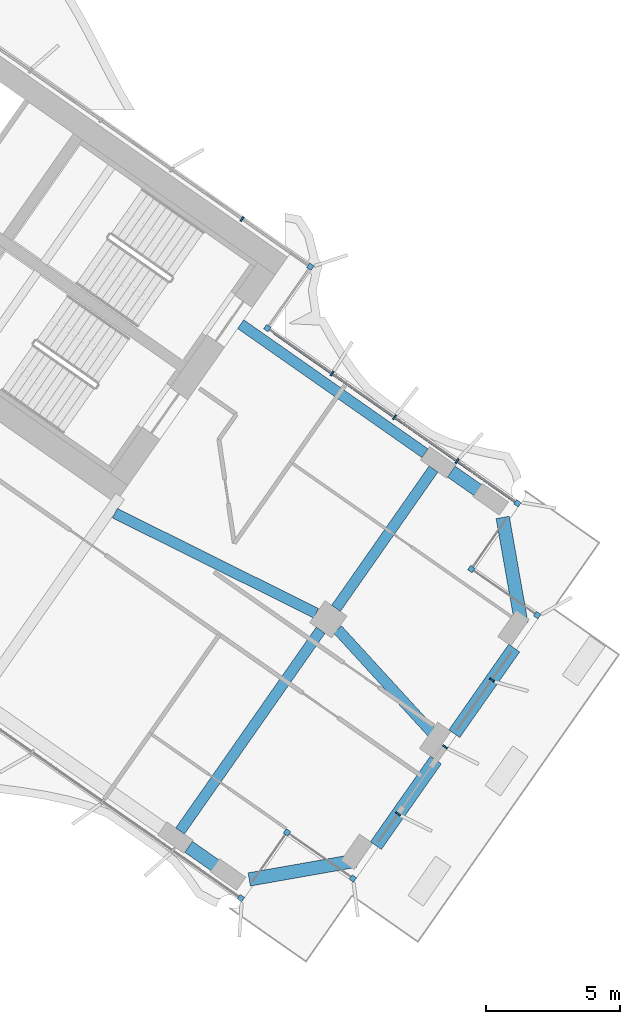
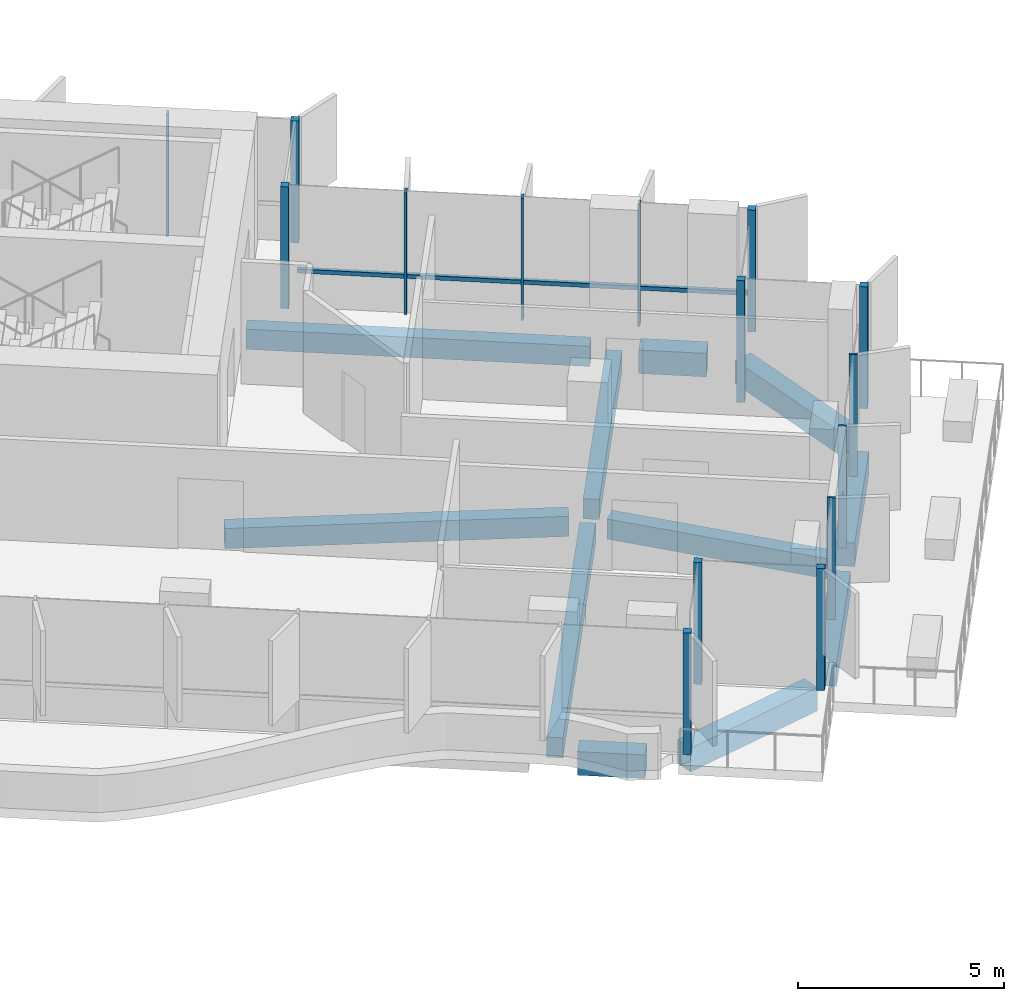
# One storey, part 9 of 22: 16 members, 11 beams, 4 elements without a shape of their own.
"""IFC4 building model written with IfcOpenShell, lengths in metres."""

import ifcopenshell
import ifcopenshell.guid

model = None  # the IFC model being written
_history = None  # IfcOwnerHistory: only IFC2X3 demands one
_inside = {}  # id of a spatial element -> (the spatial element, [elements in it])
_under = {}  # id of a project, library or spatial element -> (it, [spatial elements below it])
_declared = {}  # id of a project -> (the project, [libraries it declares])
_typed = {}  # id of a type object -> (the type object, [elements of that type])
_made_of = {}  # id of a material, layer set ... -> (it, [elements and type objects made of it])


def new_model(schema):
    """Start an empty IFC model of exactly this schema.

    Asked for "IFC4X3", IfcOpenShell would pick the latest addendum, in which some entities
    have other attributes; the version numbers below select the first issue.
    IFC2X3 requires an IfcOwnerHistory on every rooted entity: one is made here for all.
    """
    global model, _history
    if schema == "IFC4X3":
        model = ifcopenshell.file(schema_version=(4, 3, 0, 0))
    else:
        model = ifcopenshell.file(schema=schema)
    _inside.clear()
    _under.clear()
    _declared.clear()
    _typed.clear()
    _made_of.clear()
    _history = None
    if model.schema == "IFC2X3":
        org = make("IfcOrganization", Name="unknown")
        user = make(
            "IfcPersonAndOrganization",
            ThePerson=make("IfcPerson", FamilyName="unknown"),
            TheOrganization=org,
        )
        app = make(
            "IfcApplication",
            ApplicationDeveloper=org,
            Version="unknown",
            ApplicationFullName="unknown",
            ApplicationIdentifier="unknown",
        )
        _history = make(
            "IfcOwnerHistory",
            OwningUser=user,
            OwningApplication=app,
            ChangeAction="ADDED",
            CreationDate=0,
        )
    return model


def make(cls, **values):
    """One entity of the class cls with the attributes given. An attribute that is None is left unset."""
    return model.create_entity(
        cls, **{name: value for name, value in values.items() if value is not None}
    )


def rooted(cls, **values):
    """An entity with a GlobalId (a new one), such as an element, a storey or a relation."""
    return make(cls, GlobalId=ifcopenshell.guid.new(), OwnerHistory=_history, **values)


def si_unit(unit_type, name, prefix=None):
    """IfcSIUnit, for example si_unit("LENGTHUNIT", "METRE", prefix="MILLI")."""
    return make("IfcSIUnit", UnitType=unit_type, Prefix=prefix, Name=name)


def assignment(units):
    """IfcUnitAssignment: the units of a project."""
    return None if units is None else make("IfcUnitAssignment", Units=units)


def point(xyz):
    """IfcCartesianPoint."""
    return None if xyz is None else make("IfcCartesianPoint", Coordinates=xyz)


def direction(xyz):
    """IfcDirection."""
    return None if xyz is None else make("IfcDirection", DirectionRatios=xyz)


def frame(location, z_axis=None, x_axis=None):
    """IfcAxis2Placement3D, a coordinate frame: its origin and axes. An axis left out is left unset."""
    return make(
        "IfcAxis2Placement3D",
        Location=point(location),
        Axis=direction(z_axis),
        RefDirection=direction(x_axis),
    )


def frame_2d(location, x_axis=None):
    """IfcAxis2Placement2D, a coordinate frame in the plane: its origin and x axis."""
    return make(
        "IfcAxis2Placement2D", Location=point(location), RefDirection=direction(x_axis)
    )


def origin():
    """The frame at (0, 0, 0) with its axes left unset."""
    return frame((0.0, 0.0, 0.0))


def origin_2d():
    """The frame at (0, 0) in the plane with its x axis left unset."""
    return frame_2d((0.0, 0.0))


def place(relative_to, where):
    """IfcLocalPlacement: puts the frame where relative to a parent placement (None: the world)."""
    return make(
        "IfcLocalPlacement", PlacementRelTo=relative_to, RelativePlacement=where
    )


def context(
    kind, dimensions, precision=None, world=None, true_north=None, identifier=None
):
    """IfcGeometricRepresentationContext, for example the 3D "Model" context."""
    return make(
        "IfcGeometricRepresentationContext",
        ContextIdentifier=identifier,
        ContextType=kind,
        CoordinateSpaceDimension=dimensions,
        Precision=precision,
        WorldCoordinateSystem=world,
        TrueNorth=true_north,
    )


def subcontext(parent, identifier, kind, view, scale=None):
    """IfcGeometricRepresentationSubContext, for example "Body" below "Model"."""
    return make(
        "IfcGeometricRepresentationSubContext",
        ContextIdentifier=identifier,
        ContextType=kind,
        ParentContext=parent,
        TargetScale=scale,
        TargetView=view,
    )


def project(units=None, contexts=None):
    """IfcProject with its units and contexts."""
    return rooted(
        "IfcProject",
        Name="project",
        RepresentationContexts=contexts,
        UnitsInContext=assignment(units),
    )


def spatial(cls, under=None, at=None, **own):
    """A site, building, storey or space (cls), placed at a placement, below another one or the project."""
    s = rooted(cls, ObjectPlacement=at, **own)
    if under is not None:
        _under.setdefault(under.id(), (under, []))[1].append(s)
    return s


def profile(cls, at=None, kind="AREA", **sizes):
    """A parametric profile (cls). Its sizes go by their IFC names, for example OverallWidth=200.0."""
    return make(cls, ProfileType=kind, Position=at, **sizes)


def rectangle(**sizes):
    """IfcRectangleProfileDef."""
    return profile("IfcRectangleProfileDef", **sizes)


def extrude(swept, where, along, depth):
    """IfcExtrudedAreaSolid: the profile swept, set in the frame where, extruded along a direction by depth."""
    return make(
        "IfcExtrudedAreaSolid",
        SweptArea=swept,
        Position=where,
        ExtrudedDirection=direction(along),
        Depth=depth,
    )


def shape(context_of_items, identifier, shape_type, items):
    """IfcShapeRepresentation: the items that make up one representation, for example the "Body"."""
    return make(
        "IfcShapeRepresentation",
        ContextOfItems=context_of_items,
        RepresentationIdentifier=identifier,
        RepresentationType=shape_type,
        Items=items,
    )


def material(Name=None, Category=None):
    """IfcMaterial."""
    return make("IfcMaterial", Name=Name, Category=Category)


def material_profile(
    of_material, cross_section, Name=None, Category=None, Priority=None
):
    """IfcMaterialProfile: a cross section and its material."""
    return make(
        "IfcMaterialProfile",
        Name=Name,
        Material=of_material,
        Profile=cross_section,
        Priority=Priority,
        Category=Category,
    )


def profile_set(profiles, Name=None, composite=None):
    """IfcMaterialProfileSet."""
    return make(
        "IfcMaterialProfileSet",
        Name=Name,
        MaterialProfiles=profiles,
        CompositeProfile=composite,
    )


def made_of(thing, what):
    """Note that an element or type object is made of a material, layer set ...; save() writes the relation."""
    if what is not None:
        _made_of.setdefault(what.id(), (what, []))[1].append(thing)
    return thing


def type_object(cls, material=None, **own):
    """A type object (cls), such as IfcWallType, which elements share."""
    return made_of(rooted(cls, **own), material)


def element(
    cls,
    number,
    at=None,
    inside=None,
    cuts=None,
    type_object=None,
    material=None,
    context=None,
    identifier="Body",
    shape_type=None,
    held_by="IfcProductDefinitionShape",
    body=None,
    shapes=None,
    **own,
):
    """One element of the class cls, such as IfcWall. Its Tag is "e" and its number.

    at: its placement. inside: the storey or other place that contains it. cuts: it is an
    opening in that element (IfcRelVoidsElement). A single representation is given by context,
    identifier, shape_type and body (its items); several are given by shapes. held_by: the class
    of the entity that holds the representations. save() writes the other relations.
    """
    e = rooted(cls, Tag="e%d" % number, ObjectPlacement=at, **own)
    if body is not None:
        shapes = [shape(context, identifier, shape_type, body)]
    if shapes is not None:
        e.Representation = make(held_by, Representations=shapes)
    if inside is not None:
        _inside.setdefault(inside.id(), (inside, []))[1].append(e)
    if cuts is not None:
        rooted(
            "IfcRelVoidsElement", RelatingBuildingElement=cuts, RelatedOpeningElement=e
        )
    if type_object is not None:
        _typed.setdefault(type_object.id(), (type_object, []))[1].append(e)
    return made_of(e, material)


def aggregate(whole, parts):
    """IfcRelAggregates: a whole, such as a stair, and the parts it consists of."""
    return rooted("IfcRelAggregates", RelatingObject=whole, RelatedObjects=parts)


def save(model, path):
    """Write the relations noted so far, then the file.

    IfcRelAggregates (storeys below a building ...), IfcRelContainedInSpatialStructure (elements
    in a storey), IfcRelDefinesByType, IfcRelAssociatesMaterial and IfcRelDeclares: one each for
    every whole, place, type object, material and project.
    """
    for whole, parts in _under.values():
        aggregate(whole, parts)
    for where, things in _inside.values():
        rooted(
            "IfcRelContainedInSpatialStructure",
            RelatedElements=things,
            RelatingStructure=where,
        )
    for kind, things in _typed.values():
        rooted("IfcRelDefinesByType", RelatedObjects=things, RelatingType=kind)
    for what, things in _made_of.values():
        rooted("IfcRelAssociatesMaterial", RelatedObjects=things, RelatingMaterial=what)
    for by, libraries in _declared.values():
        rooted("IfcRelDeclares", RelatingContext=by, RelatedDefinitions=libraries)
    model.write(path)


model = new_model("IFC4")

# Units and contexts
model_context = context("Model", 3, precision=1e-05, world=origin(), true_north=direction((0.0, 1.0)))
body_context = subcontext(model_context, "Body", "Model", "MODEL_VIEW")
ifc_project = project(units=[si_unit("LENGTHUNIT", "METRE"), si_unit("AREAUNIT", "SQUARE_METRE"), si_unit("VOLUMEUNIT", "CUBIC_METRE"), si_unit("PLANEANGLEUNIT", "RADIAN"), si_unit("MASSUNIT", "GRAM", prefix="KILO")], contexts=[model_context])

# Site, building, storey
site_placement = place(None, origin())
site = spatial("IfcSite", under=ifc_project, at=site_placement, CompositionType="ELEMENT")
building_placement = place(site_placement, origin())
building = spatial("IfcBuilding", under=site, at=building_placement, Name="Tel Ilan Convention Tower", CompositionType="ELEMENT")
storey_placement = place(building_placement, frame((0.0, 0.0, 143.699951171875)))
storey = spatial("IfcBuildingStorey", under=building, at=storey_placement, Name="L32", CompositionType="ELEMENT", Elevation=143.699951171875)

# Beams
ifc_material_1 = material(Name="Concrete C40/50", Category="concrete")
ifc_material_profile_1 = material_profile(ifc_material_1, rectangle(XDim=0.39990234375, YDim=0.60009765625, at=origin_2d()), Name="RC 400x600")
ifc_profile_set_1 = profile_set([ifc_material_profile_1], Name="Concrete C40/50")
beam_type_1 = type_object("IfcBeamType", Name="Beam RC 400x600 Concrete C40/50", PredefinedType="BEAM", material=ifc_profile_set_1)
beam_1_placement = place(storey_placement, frame((33.09912109375, -14.44775390625, -0.579833984375), z_axis=(-0.819147254605, 0.573583276668, 0.0), x_axis=(-0.573583276668, -0.819147254605, 0.0)))
element("IfcBeam", 1, at=beam_1_placement, inside=storey, type_object=beam_type_1, Name="L32 beam E-E-B4-core", PredefinedType="BEAM", context=body_context, shape_type="SweptSolid", body=[
    extrude(rectangle(XDim=0.39990234375, YDim=0.60009765625, at=origin_2d()), origin(), (0.0, 0.0, 1.0), 8.400146484375),
])
beam_2_placement = place(storey_placement, frame((21.52099609375, -16.686279296875, -0.579833984375), z_axis=(0.895402365524, -0.445257907076, 0.0), x_axis=(0.445257907076, 0.895402365524, 0.0)))
element("IfcBeam", 2, at=beam_2_placement, inside=storey, type_object=beam_type_1, Name="L32 beam E-core-E-M4", PredefinedType="BEAM", context=body_context, shape_type="SweptSolid", body=[
    extrude(rectangle(XDim=0.39990234375, YDim=0.60009765625, at=origin_2d()), origin(), (0.0, 0.0, 1.0), 8.3935546875),
])
beam_3_placement = place(storey_placement, frame((29.835205078125, -21.026611328125, -0.579833984375), z_axis=(0.675300861805, -0.737542368983, 0.0), x_axis=(0.737542368983, 0.675300861805, 0.0)))
element("IfcBeam", 3, at=beam_3_placement, inside=storey, type_object=beam_type_1, Name="L32 beam E-E-M4-end", PredefinedType="BEAM", context=body_context, shape_type="SweptSolid", body=[
    extrude(rectangle(XDim=0.39990234375, YDim=0.60009765625, at=origin_2d()), origin(), (0.0, 0.0, 1.0), 5.636474609375),
])
beam_4_placement = place(storey_placement, frame((29.20263671875, -21.058349609375, -0.579833984375), z_axis=(-0.573557249804, -0.819165478519, 0.0), x_axis=(0.819165478519, -0.573557249804, 0.0)))
element("IfcBeam", 4, at=beam_4_placement, inside=storey, type_object=beam_type_1, Name="L32 beam E-E-M4-E-F4", PredefinedType="BEAM", context=body_context, shape_type="SweptSolid", body=[
    extrude(rectangle(XDim=0.39990234375, YDim=0.60009765625, at=origin_2d()), origin(), (0.0, 0.0, 1.0), 9.14990234375),
])
beam_5_placement = place(storey_placement, frame((29.7763671875, -20.2392578125, -0.579833984375), z_axis=(0.573560394383, 0.819163276762, 0.0), x_axis=(-0.819163276762, 0.573560394383, 0.0)))
element("IfcBeam", 5, at=beam_5_placement, inside=storey, type_object=beam_type_1, Name="L32 beam E-E-M4-E-B4", PredefinedType="BEAM", context=body_context, shape_type="SweptSolid", body=[
    extrude(rectangle(XDim=0.39990234375, YDim=0.60009765625, at=origin_2d()), origin(), (0.0, 0.0, 1.0), 6.349853515625),
])
ifc_material_2 = material(Name="Concrete C40/50", Category="concrete")
ifc_material_profile_2 = material_profile(ifc_material_2, rectangle(XDim=0.5, YDim=0.699951171875, at=origin_2d()), Name="RC 500x700")
ifc_profile_set_2 = profile_set([ifc_material_profile_2], Name="Concrete C40/50")
beam_type_2 = type_object("IfcBeamType", Name="Beam RC 500x700 Concrete C40/50", PredefinedType="BEAM", material=ifc_profile_set_2)
beam_6_placement = place(storey_placement, frame((24.27392578125, -29.1435546875, -0.6298828125), z_axis=(0.819148614275, -0.573581334887, 0.0), x_axis=(0.573581334887, 0.819148614275, 0.0)))
element("IfcBeam", 6, at=beam_6_placement, inside=storey, type_object=beam_type_2, Name="L32 beam E-E-F4-E-FC", PredefinedType="BEAM", context=body_context, shape_type="SweptSolid", body=[
    extrude(rectangle(XDim=0.5, YDim=0.699951171875, at=origin_2d()), origin(), (0.0, 0.0, 1.0), 1.65234375),
])
beam_7_placement = place(storey_placement, frame((26.53662109375, -30.36181640625, -0.6298828125), z_axis=(0.984806721117, 0.173654029734, 0.0), x_axis=(-0.173654029734, 0.984806721117, 0.0)))
element("IfcBeam", 7, at=beam_7_placement, inside=storey, type_object=beam_type_2, Name="L32 beam E-E-FC-E-E1", PredefinedType="BEAM", context=body_context, shape_type="SweptSolid", body=[
    extrude(rectangle(XDim=0.5, YDim=0.699951171875, at=origin_2d()), origin(), (0.0, 0.0, 1.0), 4.03076171875),
])
for number, where, z_axis, x_axis, name in (
    (8, (31.267822265625, -29.0966796875, -0.6298828125), (0.573579971149, 0.819149569186, 0.0), (-0.819149569186, 0.573579971149, 0.0), "L32 beam E-E-E1-E-E2"),
    (9, (34.193115234375, -24.9189453125, -0.6298828125), (0.573579971149, 0.819149569186, 0.0), (-0.819149569186, 0.573579971149, 0.0), "L32 beam E-E-E2-E-E3"),
):
    element("IfcBeam", number, at=place(storey_placement, frame(where, z_axis=z_axis, x_axis=x_axis)), inside=storey, type_object=beam_type_2, Name=name, PredefinedType="BEAM", context=body_context, shape_type="SweptSolid", body=[
        extrude(rectangle(XDim=0.5, YDim=0.699951171875, at=origin_2d()), origin(), (0.0, 0.0, 1.0), 3.900146484375),
    ])
beam_8_placement = place(storey_placement, frame((36.70068359375, -20.81494140625, -0.6298828125), z_axis=(-0.173664388751, 0.984804894423, 0.0), x_axis=(-0.984804894423, -0.173664388751, 0.0)))
element("IfcBeam", 10, at=beam_8_placement, inside=storey, type_object=beam_type_2, Name="L32 beam E-E-E3-E-BC", PredefinedType="BEAM", context=body_context, shape_type="SweptSolid", body=[
    extrude(rectangle(XDim=0.5, YDim=0.699951171875, at=origin_2d()), origin(), (0.0, 0.0, 1.0), 4.030517578125),
])
beam_9_placement = place(storey_placement, frame((35.435546875, -16.083740234375, -0.6298828125), z_axis=(-0.819148614275, 0.573581334887, 0.0), x_axis=(-0.573581334887, -0.819148614275, 0.0)))
element("IfcBeam", 11, at=beam_9_placement, inside=storey, type_object=beam_type_2, Name="L32 beam E-E-BC-E-B4", PredefinedType="BEAM", context=body_context, shape_type="SweptSolid", body=[
    extrude(rectangle(XDim=0.5, YDim=0.699951171875, at=origin_2d()), origin(), (0.0, 0.0, 1.0), 1.65234375),
])

# Curtain wall, members
ifc_material_3 = material(Name="Aluminium, bronze anodised", Category="aluminium")
curtain_wall_type_1 = type_object("IfcCurtainWallType", Name="CW4 STICK CURTAIN WALL, OFFICE TINTED GLASS", PredefinedType="NOTDEFINED", material=ifc_material_3)
curtain_wall_1_placement = place(storey_placement, origin())
curtain_wall_1 = element("IfcCurtainWall", 12, at=curtain_wall_1_placement, inside=storey, type_object=curtain_wall_type_1, Name="Curtain wall CW4-26.02", PredefinedType="NOTDEFINED")
ifc_material_4 = material(Name="Aluminium, bronze anodised", Category="aluminium")
ifc_material_profile_3 = material_profile(ifc_material_4, rectangle(XDim=0.199951171875, YDim=0.199951171875, at=origin_2d()), Name="CW CORNER MULLION 200x200")
ifc_profile_set_3 = profile_set([ifc_material_profile_3], Name="Aluminium, bronze anodised")
member_type_1 = type_object("IfcMemberType", Name="CW CORNER MULLION 200x200", PredefinedType="MULLION", material=ifc_profile_set_3)
member_1_placement = place(storey_placement, frame((37.28857421875, -20.494140625, 0.0), z_axis=(0.0, 0.0, 1.0), x_axis=(0.573576436351, 0.819152044289, 0.0)))
member_1 = element("IfcMember", 13, at=member_1_placement, type_object=member_type_1, Name="Corner mullion", PredefinedType="MULLION", context=body_context, shape_type="SweptSolid", body=[
    extrude(rectangle(XDim=0.199951171875, YDim=0.199951171875, at=origin_2d()), origin(), (0.0, 0.0, 1.0), 3.6201171875),
])
member_2_placement = place(storey_placement, frame((34.8310546875, -18.7734375, 0.0), z_axis=(0.0, 0.0, 1.0), x_axis=(-0.819152044289, 0.573576436351, 0.0)))
member_2 = element("IfcMember", 14, at=member_2_placement, type_object=member_type_1, Name="Corner mullion", PredefinedType="MULLION", context=body_context, shape_type="SweptSolid", body=[
    extrude(rectangle(XDim=0.199951171875, YDim=0.199951171875, at=origin_2d()), origin(), (0.0, 0.0, 1.0), 3.6201171875),
])
member_3_placement = place(storey_placement, frame((36.5517578125, -16.31591796875, 0.0), z_axis=(0.0, 0.0, 1.0), x_axis=(0.573576436351, 0.819152044289, 0.0)))
member_3 = element("IfcMember", 15, at=member_3_placement, type_object=member_type_1, Name="Corner mullion", PredefinedType="MULLION", context=body_context, shape_type="SweptSolid", body=[
    extrude(rectangle(XDim=0.199951171875, YDim=0.199951171875, at=origin_2d()), origin(), (0.0, 0.0, 1.0), 3.6201171875),
])
member_4_placement = place(storey_placement, frame((27.213623046875, -9.77734375, 0.0), z_axis=(0.0, 0.0, 1.0), x_axis=(-0.819152044289, 0.573576436351, 0.0)))
member_4 = element("IfcMember", 16, at=member_4_placement, type_object=member_type_1, Name="Corner mullion", PredefinedType="MULLION", context=body_context, shape_type="SweptSolid", body=[
    extrude(rectangle(XDim=0.199951171875, YDim=0.199951171875, at=origin_2d()), origin(), (0.0, 0.0, 1.0), 3.6201171875),
])

# Curtain wall, member
ifc_material_5 = material(Name="Aluminium, bronze anodised", Category="aluminium")
curtain_wall_type_2 = type_object("IfcCurtainWallType", Name="CW2 STICK CURTAIN WALL, SPANDREL PANELS", PredefinedType="NOTDEFINED", material=ifc_material_5)
curtain_wall_2_placement = place(storey_placement, origin())
curtain_wall_2 = element("IfcCurtainWall", 17, at=curtain_wall_2_placement, inside=storey, type_object=curtain_wall_type_2, Name="Curtain wall CW2-26.03", PredefinedType="NOTDEFINED")
member_5_placement = place(storey_placement, frame((28.819580078125, -7.483642578125, 0.0), z_axis=(0.0, 0.0, 1.0), x_axis=(0.573576436351, 0.819152044289, 0.0)))
member_5 = element("IfcMember", 18, at=member_5_placement, type_object=member_type_1, Name="Corner mullion", PredefinedType="MULLION", context=body_context, shape_type="SweptSolid", body=[
    extrude(rectangle(XDim=0.199951171875, YDim=0.199951171875, at=origin_2d()), origin(), (0.0, 0.0, 1.0), 3.6201171875),
])

# Curtain wall, members
curtain_wall_3_placement = place(storey_placement, origin())
curtain_wall_3 = element("IfcCurtainWall", 19, at=curtain_wall_3_placement, inside=storey, type_object=curtain_wall_type_1, Name="Curtain wall CW4-26.04", PredefinedType="NOTDEFINED")
member_6_placement = place(storey_placement, frame((26.2275390625, -31.060791015625, 0.0), z_axis=(0.0, 0.0, 1.0), x_axis=(0.819152044289, -0.573576436351, 0.0)))
member_6 = element("IfcMember", 20, at=member_6_placement, type_object=member_type_1, Name="Corner mullion", PredefinedType="MULLION", context=body_context, shape_type="SweptSolid", body=[
    extrude(rectangle(XDim=0.199951171875, YDim=0.199951171875, at=origin_2d()), origin(), (0.0, 0.0, 1.0), 3.6201171875),
])
member_7_placement = place(storey_placement, frame((27.9482421875, -28.603271484375, 0.0), z_axis=(0.0, 0.0, 1.0), x_axis=(0.573576436351, 0.819152044289, 0.0)))
member_7 = element("IfcMember", 21, at=member_7_placement, type_object=member_type_1, Name="Corner mullion", PredefinedType="MULLION", context=body_context, shape_type="SweptSolid", body=[
    extrude(rectangle(XDim=0.199951171875, YDim=0.199951171875, at=origin_2d()), origin(), (0.0, 0.0, 1.0), 3.6201171875),
])
member_8_placement = place(storey_placement, frame((30.40576171875, -30.323974609375, 0.0), z_axis=(0.0, 0.0, 1.0), x_axis=(0.819152044289, -0.573576436351, 0.0)))
member_8 = element("IfcMember", 22, at=member_8_placement, type_object=member_type_1, Name="Corner mullion", PredefinedType="MULLION", context=body_context, shape_type="SweptSolid", body=[
    extrude(rectangle(XDim=0.199951171875, YDim=0.199951171875, at=origin_2d()), origin(), (0.0, 0.0, 1.0), 3.6201171875),
])
aggregate(curtain_wall_3, [member_6, member_7, member_8])

curtain_wall_4_placement = place(storey_placement, origin())
curtain_wall_4 = element("IfcCurtainWall", 23, at=curtain_wall_4_placement, inside=storey, type_object=curtain_wall_type_1, Name="Curtain wall CW4-26.01", PredefinedType="NOTDEFINED")
ifc_material_6 = material(Name="Aluminium, bronze anodised", Category="aluminium")
ifc_material_profile_4 = material_profile(ifc_material_6, rectangle(XDim=0.06005859375, YDim=0.199951171875, at=origin_2d()), Name="CW MULLION 60x200")
ifc_profile_set_4 = profile_set([ifc_material_profile_4], Name="Aluminium, bronze anodised")
member_type_2 = type_object("IfcMemberType", Name="CW MULLION 60x200", PredefinedType="MULLION", material=ifc_profile_set_4)
member_9_placement = place(storey_placement, frame((32.09765625, -27.907470703125, 0.0), z_axis=(0.0, 0.0, 1.0), x_axis=(0.573576436351, 0.819152044289, 0.0)))
member_9 = element("IfcMember", 24, at=member_9_placement, type_object=member_type_2, Name="Mullion", PredefinedType="MULLION", context=body_context, shape_type="SweptSolid", body=[
    extrude(rectangle(XDim=0.06005859375, YDim=0.199951171875, at=origin_2d()), origin(), (0.0, 0.0, 1.0), 3.6201171875),
])
member_10_placement = place(storey_placement, frame((33.84716796875, -25.4091796875, 0.0), z_axis=(0.0, 0.0, 1.0), x_axis=(0.573576436351, 0.819152044289, 0.0)))
member_10 = element("IfcMember", 25, at=member_10_placement, type_object=member_type_2, Name="Mullion", PredefinedType="MULLION", context=body_context, shape_type="SweptSolid", body=[
    extrude(rectangle(XDim=0.06005859375, YDim=0.199951171875, at=origin_2d()), origin(), (0.0, 0.0, 1.0), 3.6201171875),
])
aggregate(curtain_wall_4, [member_9, member_10])

# Member
member_11_placement = place(storey_placement, frame((35.596435546875, -22.91064453125, 0.0), z_axis=(0.0, 0.0, 1.0), x_axis=(0.573576436351, 0.819152044289, 0.0)))
member_11 = element("IfcMember", 26, at=member_11_placement, type_object=member_type_2, Name="Mullion", PredefinedType="MULLION", context=body_context, shape_type="SweptSolid", body=[
    extrude(rectangle(XDim=0.06005859375, YDim=0.199951171875, at=origin_2d()), origin(), (0.0, 0.0, 1.0), 3.6201171875),
])

member_12_placement = place(storey_placement, frame((34.299072265625, -14.73876953125, 0.0), z_axis=(0.0, 0.0, 1.0), x_axis=(-0.819152044289, 0.573576436351, 0.0)))
member_12 = element("IfcMember", 27, at=member_12_placement, type_object=member_type_2, Name="Mullion", PredefinedType="MULLION", context=body_context, shape_type="SweptSolid", body=[
    extrude(rectangle(XDim=0.06005859375, YDim=0.199951171875, at=origin_2d()), origin(), (0.0, 0.0, 1.0), 3.6201171875),
])

member_13_placement = place(storey_placement, frame((31.964599609375, -13.10400390625, 0.0), z_axis=(0.0, 0.0, 1.0), x_axis=(-0.819152044289, 0.573576436351, 0.0)))
member_13 = element("IfcMember", 28, at=member_13_placement, type_object=member_type_2, Name="Mullion", PredefinedType="MULLION", context=body_context, shape_type="SweptSolid", body=[
    extrude(rectangle(XDim=0.06005859375, YDim=0.199951171875, at=origin_2d()), origin(), (0.0, 0.0, 1.0), 3.6201171875),
])

member_14_placement = place(storey_placement, frame((29.630126953125, -11.46923828125, 0.0), z_axis=(0.0, 0.0, 1.0), x_axis=(-0.819152044289, 0.573576436351, 0.0)))
member_14 = element("IfcMember", 29, at=member_14_placement, type_object=member_type_2, Name="Mullion", PredefinedType="MULLION", context=body_context, shape_type="SweptSolid", body=[
    extrude(rectangle(XDim=0.06005859375, YDim=0.199951171875, at=origin_2d()), origin(), (0.0, 0.0, 1.0), 3.6201171875),
])

member_15_placement = place(storey_placement, frame((26.268798828125, -5.697509765625, 0.0), z_axis=(0.0, 0.0, 1.0), x_axis=(-0.819152044289, 0.573576436351, 0.0)))
member_15 = element("IfcMember", 30, at=member_15_placement, type_object=member_type_2, Name="Mullion", PredefinedType="MULLION", context=body_context, shape_type="SweptSolid", body=[
    extrude(rectangle(XDim=0.06005859375, YDim=0.199951171875, at=origin_2d()), origin(), (0.0, 0.0, 1.0), 3.6201171875),
])

aggregate(curtain_wall_2, [member_5, member_15])

ifc_material_7 = material(Name="Aluminium, bronze anodised", Category="aluminium")
ifc_material_profile_5 = material_profile(ifc_material_7, rectangle(XDim=0.10009765625, YDim=0.1201171875, at=origin_2d()), Name="CW TRANSOM 100x120")
ifc_profile_set_5 = profile_set([ifc_material_profile_5], Name="Aluminium, bronze anodised")
member_type_3 = type_object("IfcMemberType", Name="CW TRANSOM 100x120", PredefinedType="USERDEFINED", material=ifc_profile_set_5)
member_16_placement = place(storey_placement, frame((36.469970703125, -16.258544921875, 1.10009765625), z_axis=(-0.819154753687, 0.57357256691, 0.0), x_axis=(-0.57357256691, -0.819154753687, 0.0)))
member_16 = element("IfcMember", 31, at=member_16_placement, type_object=member_type_3, Name="Transom", ObjectType="TRANSOM", PredefinedType="USERDEFINED", context=body_context, shape_type="SweptSolid", body=[
    extrude(rectangle(XDim=0.10009765625, YDim=0.1201171875, at=origin_2d()), origin(), (0.0, 0.0, 1.0), 11.0),
])

aggregate(curtain_wall_1, [member_11, member_1, member_2, member_3, member_12, member_13, member_14, member_4, member_16])

save(model, "model.ifc")
